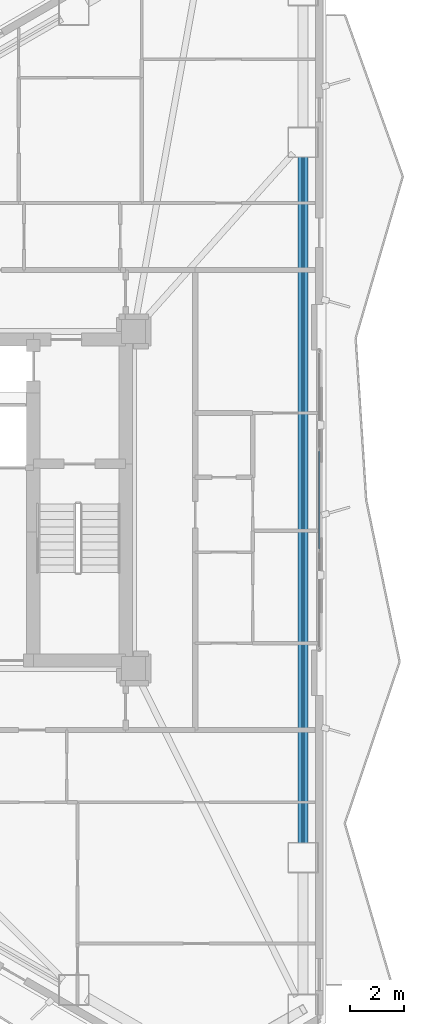
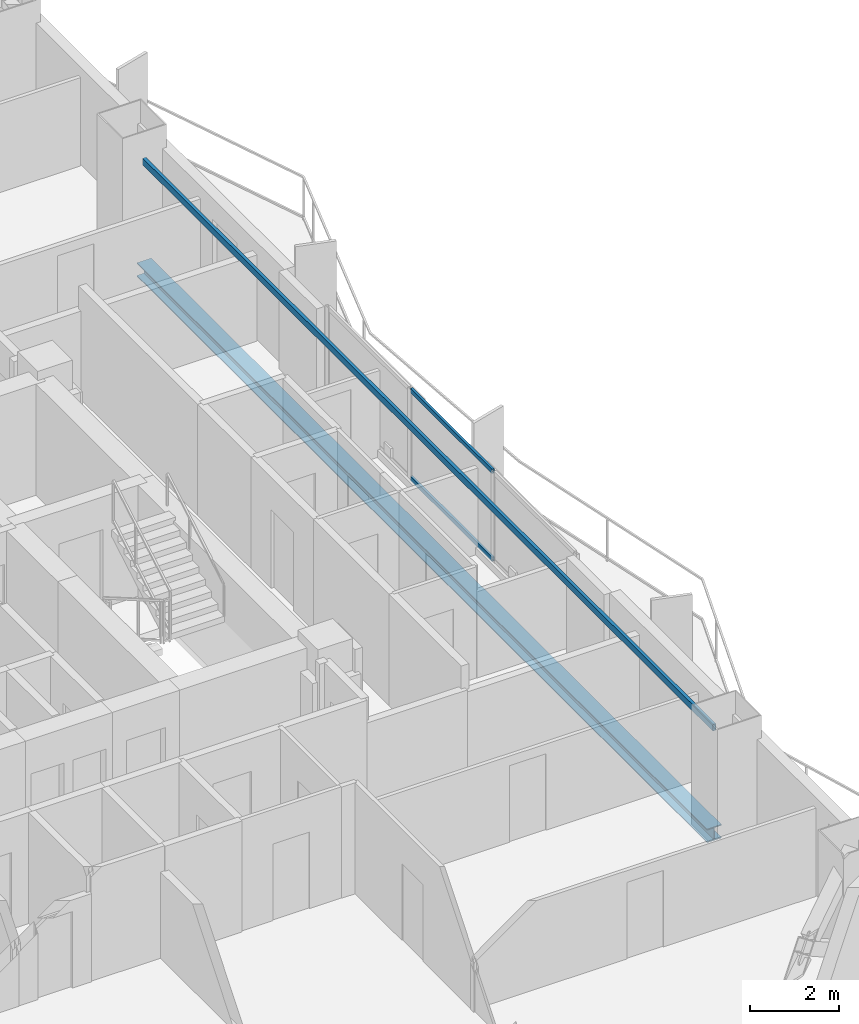
# One storey, part 9 of 22: 2 beams, 2 members, 1 element without a shape of its own.
"""IFC4 building model written with IfcOpenShell, lengths in metres."""

from ifc_helpers import new_model, si_unit, direction, frame, origin, origin_2d, place, context, subcontext, project, spatial, hollow_rectangle, i_section, extrude, material, layer, layer_set, material_profile, profile_set, type_object, element, aggregate, save


model = new_model("IFC4")

# Units and contexts
model_context = context("Model", 3, precision=1e-05, world=origin(), true_north=direction((0.0, 1.0)))
body_context = subcontext(model_context, "Body", "Model", "MODEL_VIEW")
ifc_project = project(units=[si_unit("LENGTHUNIT", "METRE"), si_unit("AREAUNIT", "SQUARE_METRE"), si_unit("VOLUMEUNIT", "CUBIC_METRE"), si_unit("PLANEANGLEUNIT", "RADIAN"), si_unit("MASSUNIT", "GRAM", prefix="KILO")], contexts=[model_context])

# Site, building, storey
site_placement = place(None, origin())
site = spatial("IfcSite", under=ifc_project, at=site_placement, CompositionType="ELEMENT")
building_placement = place(site_placement, origin())
building = spatial("IfcBuilding", under=site, at=building_placement, Name="Mersakhor Tower and Convention Hall", CompositionType="ELEMENT")
storey_placement = place(building_placement, frame((0.0, 0.0, 76.800048828125)))
storey = spatial("IfcBuildingStorey", under=building, at=storey_placement, Name="L20", CompositionType="ELEMENT", Elevation=76.800048828125)

# Beams
ifc_material_1 = material(Name="Steel S355", Category="steel")
ifc_material_profile_1 = material_profile(ifc_material_1, hollow_rectangle(XDim=0.080078125, YDim=0.179931640625, WallThickness=0.008056640625, at=origin_2d()), Name="RHS 180x80x8")
ifc_profile_set_1 = profile_set([ifc_material_profile_1], Name="Steel S355")
beam_type_1 = type_object("IfcBeamType", Name="BM-GRT-RHS180", PredefinedType="USERDEFINED", material=ifc_profile_set_1)
beam_1_placement = place(storey_placement, frame((42.4345703125, 39.566650390625, 2.47998046875), z_axis=(0.0, -1.0, 0.0), x_axis=(1.0, 0.0, 0.0)))
element("IfcBeam", 1, at=beam_1_placement, inside=storey, type_object=beam_type_1, Name="L20 Facade Support Girt GRT-F2", ObjectType="GIRT", PredefinedType="USERDEFINED", context=body_context, shape_type="SweptSolid", body=[
    extrude(hollow_rectangle(XDim=0.080078125, YDim=0.179931640625, WallThickness=0.008056640625, at=origin_2d()), origin(), (0.0, 0.0, 1.0), 25.63330078125),
])
ifc_material_2 = material(Name="Steel S355", Category="steel")
ifc_material_profile_2 = material_profile(ifc_material_2, i_section(OverallWidth=0.374755859375, OverallDepth=0.37451171875, WebThickness=0.0166015625, FlangeThickness=0.027099609375, at=origin_2d()), Name="UC 356x368x202")
ifc_profile_set_2 = profile_set([ifc_material_profile_2], Name="Steel S355")
beam_type_2 = type_object("IfcBeamType", Name="BM-SPD-UC356", PredefinedType="SPANDREL", material=ifc_profile_set_2)
beam_2_placement = place(storey_placement, frame((42.4345703125, 39.566650390625, -0.437255859375), z_axis=(0.0, -1.0, 0.0), x_axis=(1.0, 0.0, 0.0)))
element("IfcBeam", 2, at=beam_2_placement, inside=storey, type_object=beam_type_2, Name="L20 Perimeter Spandrel Beam SPB-06", PredefinedType="SPANDREL", context=body_context, shape_type="SweptSolid", body=[
    extrude(i_section(OverallWidth=0.374755859375, OverallDepth=0.37451171875, WebThickness=0.0166015625, FlangeThickness=0.027099609375, at=origin_2d()), origin(), (0.0, 0.0, 1.0), 25.63330078125),
])

# Curtain wall, members
ifc_material_3 = material(Name="Dark solar low-E aluminium curtain wall", Category="aluminium")
ifc_layer = layer(ifc_material_3, 0.159912109375)
ifc_layer_set = layer_set([ifc_layer], Name="Dark solar low-E aluminium curtain wall")
curtain_wall_type = type_object("IfcCurtainWallType", Name="CW-SYS-01", PredefinedType="USERDEFINED", material=ifc_layer_set)
curtain_wall_placement = place(storey_placement, origin())
curtain_wall = element("IfcCurtainWall", 3, at=curtain_wall_placement, inside=storey, type_object=curtain_wall_type, Name="L20 Dark-Glass Curtain Wall F2-B2", ObjectType="CURTAIN WALL", PredefinedType="USERDEFINED")
ifc_material_4 = material(Name="Anodised aluminium EN AW-6063 T6", Category="aluminium")
ifc_material_profile_3 = material_profile(ifc_material_4, hollow_rectangle(XDim=0.06005859375, YDim=0.1201171875, WallThickness=0.0048828125, at=origin_2d()), Name="RHS 120x60x5")
ifc_profile_set_3 = profile_set([ifc_material_profile_3], Name="Anodised aluminium EN AW-6063 T6")
member_type = type_object("IfcMemberType", Name="CWT-120x60", PredefinedType="USERDEFINED", material=ifc_profile_set_3)
member_1_placement = place(storey_placement, frame((43.03466796875, 28.583984375, 0.22998046875), z_axis=(0.0, -1.0, 0.0), x_axis=(1.0, 0.0, 0.0)))
member_1 = element("IfcMember", 4, at=member_1_placement, type_object=member_type, Name="CW-01 transom 2.1", ObjectType="TRANSOM", PredefinedType="USERDEFINED", context=body_context, shape_type="SweptSolid", body=[
    extrude(hollow_rectangle(XDim=0.06005859375, YDim=0.1201171875, WallThickness=0.0048828125, at=origin_2d()), origin(), (0.0, 0.0, 1.0), 3.66796875),
])
member_2_placement = place(storey_placement, frame((43.03466796875, 28.583984375, 2.639892578125), z_axis=(0.0, -1.0, 0.0), x_axis=(1.0, 0.0, 0.0)))
member_2 = element("IfcMember", 5, at=member_2_placement, type_object=member_type, Name="CW-01 transom 2.2", ObjectType="TRANSOM", PredefinedType="USERDEFINED", context=body_context, shape_type="SweptSolid", body=[
    extrude(hollow_rectangle(XDim=0.06005859375, YDim=0.1201171875, WallThickness=0.0048828125, at=origin_2d()), origin(), (0.0, 0.0, 1.0), 3.66796875),
])
aggregate(curtain_wall, [member_1, member_2])

save(model, "model.ifc")
